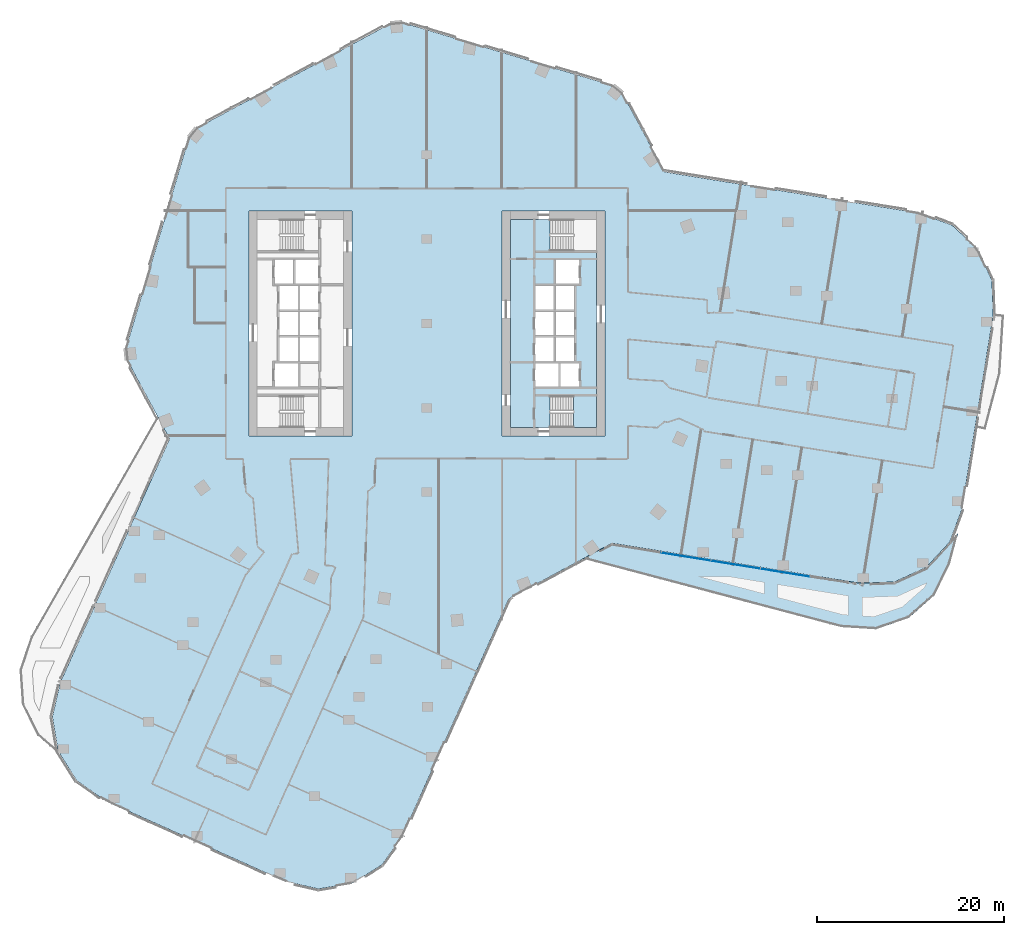
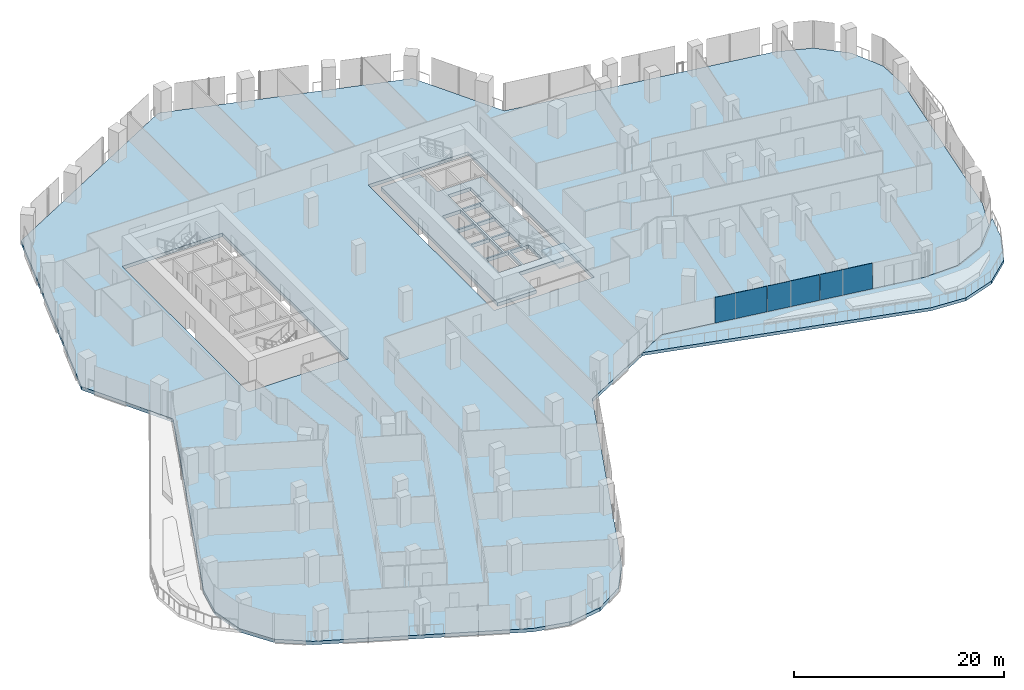
# One storey, part 19 of 32: 4 slabs, 3 plates, 2 elements without a shape of their own.
"""IFC4 building model written with IfcOpenShell, lengths in metres."""

import ifcopenshell
import ifcopenshell.guid

model = None  # the IFC model being written
_history = None  # IfcOwnerHistory: only IFC2X3 demands one
_inside = {}  # id of a spatial element -> (the spatial element, [elements in it])
_under = {}  # id of a project, library or spatial element -> (it, [spatial elements below it])
_declared = {}  # id of a project -> (the project, [libraries it declares])
_typed = {}  # id of a type object -> (the type object, [elements of that type])
_made_of = {}  # id of a material, layer set ... -> (it, [elements and type objects made of it])


def new_model(schema):
    """Start an empty IFC model of exactly this schema.

    Asked for "IFC4X3", IfcOpenShell would pick the latest addendum, in which some entities
    have other attributes; the version numbers below select the first issue.
    IFC2X3 requires an IfcOwnerHistory on every rooted entity: one is made here for all.
    """
    global model, _history
    if schema == "IFC4X3":
        model = ifcopenshell.file(schema_version=(4, 3, 0, 0))
    else:
        model = ifcopenshell.file(schema=schema)
    _inside.clear()
    _under.clear()
    _declared.clear()
    _typed.clear()
    _made_of.clear()
    _history = None
    if model.schema == "IFC2X3":
        org = make("IfcOrganization", Name="unknown")
        user = make(
            "IfcPersonAndOrganization",
            ThePerson=make("IfcPerson", FamilyName="unknown"),
            TheOrganization=org,
        )
        app = make(
            "IfcApplication",
            ApplicationDeveloper=org,
            Version="unknown",
            ApplicationFullName="unknown",
            ApplicationIdentifier="unknown",
        )
        _history = make(
            "IfcOwnerHistory",
            OwningUser=user,
            OwningApplication=app,
            ChangeAction="ADDED",
            CreationDate=0,
        )
    return model


def make(cls, **values):
    """One entity of the class cls with the attributes given. An attribute that is None is left unset."""
    return model.create_entity(
        cls, **{name: value for name, value in values.items() if value is not None}
    )


def rooted(cls, **values):
    """An entity with a GlobalId (a new one), such as an element, a storey or a relation."""
    return make(cls, GlobalId=ifcopenshell.guid.new(), OwnerHistory=_history, **values)


def si_unit(unit_type, name, prefix=None):
    """IfcSIUnit, for example si_unit("LENGTHUNIT", "METRE", prefix="MILLI")."""
    return make("IfcSIUnit", UnitType=unit_type, Prefix=prefix, Name=name)


def assignment(units):
    """IfcUnitAssignment: the units of a project."""
    return None if units is None else make("IfcUnitAssignment", Units=units)


def point(xyz):
    """IfcCartesianPoint."""
    return None if xyz is None else make("IfcCartesianPoint", Coordinates=xyz)


def direction(xyz):
    """IfcDirection."""
    return None if xyz is None else make("IfcDirection", DirectionRatios=xyz)


def frame(location, z_axis=None, x_axis=None):
    """IfcAxis2Placement3D, a coordinate frame: its origin and axes. An axis left out is left unset."""
    return make(
        "IfcAxis2Placement3D",
        Location=point(location),
        Axis=direction(z_axis),
        RefDirection=direction(x_axis),
    )


def frame_2d(location, x_axis=None):
    """IfcAxis2Placement2D, a coordinate frame in the plane: its origin and x axis."""
    return make(
        "IfcAxis2Placement2D", Location=point(location), RefDirection=direction(x_axis)
    )


def origin():
    """The frame at (0, 0, 0) with its axes left unset."""
    return frame((0.0, 0.0, 0.0))


def origin_2d():
    """The frame at (0, 0) in the plane with its x axis left unset."""
    return frame_2d((0.0, 0.0))


def place(relative_to, where):
    """IfcLocalPlacement: puts the frame where relative to a parent placement (None: the world)."""
    return make(
        "IfcLocalPlacement", PlacementRelTo=relative_to, RelativePlacement=where
    )


def context(
    kind, dimensions, precision=None, world=None, true_north=None, identifier=None
):
    """IfcGeometricRepresentationContext, for example the 3D "Model" context."""
    return make(
        "IfcGeometricRepresentationContext",
        ContextIdentifier=identifier,
        ContextType=kind,
        CoordinateSpaceDimension=dimensions,
        Precision=precision,
        WorldCoordinateSystem=world,
        TrueNorth=true_north,
    )


def subcontext(parent, identifier, kind, view, scale=None):
    """IfcGeometricRepresentationSubContext, for example "Body" below "Model"."""
    return make(
        "IfcGeometricRepresentationSubContext",
        ContextIdentifier=identifier,
        ContextType=kind,
        ParentContext=parent,
        TargetScale=scale,
        TargetView=view,
    )


def project(units=None, contexts=None):
    """IfcProject with its units and contexts."""
    return rooted(
        "IfcProject",
        Name="project",
        RepresentationContexts=contexts,
        UnitsInContext=assignment(units),
    )


def spatial(cls, under=None, at=None, **own):
    """A site, building, storey or space (cls), placed at a placement, below another one or the project."""
    s = rooted(cls, ObjectPlacement=at, **own)
    if under is not None:
        _under.setdefault(under.id(), (under, []))[1].append(s)
    return s


def polyline(points):
    """IfcPolyline through the points."""
    return make("IfcPolyline", Points=[point(p) for p in points])


def profile(cls, at=None, kind="AREA", **sizes):
    """A parametric profile (cls). Its sizes go by their IFC names, for example OverallWidth=200.0."""
    return make(cls, ProfileType=kind, Position=at, **sizes)


def rectangle(**sizes):
    """IfcRectangleProfileDef."""
    return profile("IfcRectangleProfileDef", **sizes)


def outline(outer, holes=None, kind="AREA"):
    """IfcArbitraryClosedProfileDef: a profile drawn as a closed curve; with holes, ...WithVoids."""
    if holes is None:
        return make("IfcArbitraryClosedProfileDef", ProfileType=kind, OuterCurve=outer)
    return make(
        "IfcArbitraryProfileDefWithVoids",
        ProfileType=kind,
        OuterCurve=outer,
        InnerCurves=holes,
    )


def extrude(swept, where, along, depth):
    """IfcExtrudedAreaSolid: the profile swept, set in the frame where, extruded along a direction by depth."""
    return make(
        "IfcExtrudedAreaSolid",
        SweptArea=swept,
        Position=where,
        ExtrudedDirection=direction(along),
        Depth=depth,
    )


def shape(context_of_items, identifier, shape_type, items):
    """IfcShapeRepresentation: the items that make up one representation, for example the "Body"."""
    return make(
        "IfcShapeRepresentation",
        ContextOfItems=context_of_items,
        RepresentationIdentifier=identifier,
        RepresentationType=shape_type,
        Items=items,
    )


def material(Name=None, Category=None):
    """IfcMaterial."""
    return make("IfcMaterial", Name=Name, Category=Category)


def layer(
    of_material, thickness, ventilated=None, Name=None, Category=None, Priority=None
):
    """IfcMaterialLayer: one layer of a wall or slab, of a material (None: an air gap)."""
    return make(
        "IfcMaterialLayer",
        Material=of_material,
        LayerThickness=thickness,
        IsVentilated=ventilated,
        Name=Name,
        Category=Category,
        Priority=Priority,
    )


def layer_set(layers, Name=None):
    """IfcMaterialLayerSet."""
    return make("IfcMaterialLayerSet", MaterialLayers=layers, LayerSetName=Name)


def made_of(thing, what):
    """Note that an element or type object is made of a material, layer set ...; save() writes the relation."""
    if what is not None:
        _made_of.setdefault(what.id(), (what, []))[1].append(thing)
    return thing


def type_object(cls, material=None, **own):
    """A type object (cls), such as IfcWallType, which elements share."""
    return made_of(rooted(cls, **own), material)


def element(
    cls,
    number,
    at=None,
    inside=None,
    cuts=None,
    type_object=None,
    material=None,
    context=None,
    identifier="Body",
    shape_type=None,
    held_by="IfcProductDefinitionShape",
    body=None,
    shapes=None,
    **own,
):
    """One element of the class cls, such as IfcWall. Its Tag is "e" and its number.

    at: its placement. inside: the storey or other place that contains it. cuts: it is an
    opening in that element (IfcRelVoidsElement). A single representation is given by context,
    identifier, shape_type and body (its items); several are given by shapes. held_by: the class
    of the entity that holds the representations. save() writes the other relations.
    """
    e = rooted(cls, Tag="e%d" % number, ObjectPlacement=at, **own)
    if body is not None:
        shapes = [shape(context, identifier, shape_type, body)]
    if shapes is not None:
        e.Representation = make(held_by, Representations=shapes)
    if inside is not None:
        _inside.setdefault(inside.id(), (inside, []))[1].append(e)
    if cuts is not None:
        rooted(
            "IfcRelVoidsElement", RelatingBuildingElement=cuts, RelatedOpeningElement=e
        )
    if type_object is not None:
        _typed.setdefault(type_object.id(), (type_object, []))[1].append(e)
    return made_of(e, material)


def aggregate(whole, parts):
    """IfcRelAggregates: a whole, such as a stair, and the parts it consists of."""
    return rooted("IfcRelAggregates", RelatingObject=whole, RelatedObjects=parts)


def save(model, path):
    """Write the relations noted so far, then the file.

    IfcRelAggregates (storeys below a building ...), IfcRelContainedInSpatialStructure (elements
    in a storey), IfcRelDefinesByType, IfcRelAssociatesMaterial and IfcRelDeclares: one each for
    every whole, place, type object, material and project.
    """
    for whole, parts in _under.values():
        aggregate(whole, parts)
    for where, things in _inside.values():
        rooted(
            "IfcRelContainedInSpatialStructure",
            RelatedElements=things,
            RelatingStructure=where,
        )
    for kind, things in _typed.values():
        rooted("IfcRelDefinesByType", RelatedObjects=things, RelatingType=kind)
    for what, things in _made_of.values():
        rooted("IfcRelAssociatesMaterial", RelatedObjects=things, RelatingMaterial=what)
    for by, libraries in _declared.values():
        rooted("IfcRelDeclares", RelatingContext=by, RelatedDefinitions=libraries)
    model.write(path)


model = new_model("IFC4")

# Units and contexts
model_context = context("Model", 3, precision=1e-05, world=origin(), true_north=direction((0.0, 1.0)))
body_context = subcontext(model_context, "Body", "Model", "MODEL_VIEW")
ifc_project = project(units=[si_unit("LENGTHUNIT", "METRE"), si_unit("AREAUNIT", "SQUARE_METRE"), si_unit("VOLUMEUNIT", "CUBIC_METRE"), si_unit("PLANEANGLEUNIT", "RADIAN"), si_unit("MASSUNIT", "GRAM", prefix="KILO")], contexts=[model_context])

# Site, building, storey
site_placement = place(None, origin())
site = spatial("IfcSite", under=ifc_project, at=site_placement, CompositionType="ELEMENT")
building_placement = place(site_placement, origin())
building = spatial("IfcBuilding", under=site, at=building_placement, Name="Orlundy Tower", CompositionType="ELEMENT")
storey_placement = place(building_placement, frame((0.0, 0.0, 123.699951171875)))
storey = spatial("IfcBuildingStorey", under=building, at=storey_placement, Name="L31", CompositionType="ELEMENT", Elevation=123.699951171875)

# Curtain wall, plates
ifc_material_1 = material(Name="Aluminium bronze anodised", Category="aluminium")
curtain_wall_type = type_object("IfcCurtainWallType", Name="CW1 wall", PredefinedType="NOTDEFINED", material=ifc_material_1)
curtain_wall_placement = place(storey_placement, origin())
curtain_wall = element("IfcCurtainWall", 1, at=curtain_wall_placement, inside=storey, type_object=curtain_wall_type, Name="CW1 run 016", PredefinedType="NOTDEFINED")
ifc_material_2 = material(Name="Tinted glass", Category="glass")
ifc_layer_1 = layer(ifc_material_2, 0.031982421875)
ifc_layer_set_1 = layer_set([ifc_layer_1], Name="CW1 glass panel 32")
plate_type = type_object("IfcPlateType", Name="CW1 glass panel 32", PredefinedType="CURTAIN_PANEL", material=ifc_layer_set_1)
plate_1_placement = place(storey_placement, frame((38.21630859375, -26.591796875, 0.1201171875), z_axis=(0.0, 0.0, 1.0), x_axis=(-0.987228432558, 0.159311085453, 0.0)))
plate_1 = element("IfcPlate", 2, at=plate_1_placement, type_object=plate_type, Name="CW1 panel", PredefinedType="CURTAIN_PANEL", context=body_context, shape_type="SweptSolid", body=[
    extrude(rectangle(XDim=5.306884765625, YDim=0.031982421875, at=origin_2d()), origin(), (0.0, 0.0, 1.0), 2.97998046875),
])
plate_2_placement = place(storey_placement, frame((32.927978515625, -25.738525390625, 0.1201171875), z_axis=(0.0, 0.0, 1.0), x_axis=(-0.987228432558, 0.159311085453, 0.0)))
plate_2 = element("IfcPlate", 3, at=plate_2_placement, type_object=plate_type, Name="CW1 panel", PredefinedType="CURTAIN_PANEL", context=body_context, shape_type="SweptSolid", body=[
    extrude(rectangle(XDim=5.306884765625, YDim=0.031982421875, at=origin_2d()), origin(), (0.0, 0.0, 1.0), 2.97998046875),
])
plate_3_placement = place(storey_placement, frame((27.639404296875, -24.885009765625, 0.1201171875), z_axis=(0.0, 0.0, 1.0), x_axis=(-0.987228432558, 0.159311085453, 0.0)))
plate_3 = element("IfcPlate", 4, at=plate_3_placement, type_object=plate_type, Name="CW1 panel", PredefinedType="CURTAIN_PANEL", context=body_context, shape_type="SweptSolid", body=[
    extrude(rectangle(XDim=5.306884765625, YDim=0.031982421875, at=origin_2d()), origin(), (0.0, 0.0, 1.0), 2.97998046875),
])
aggregate(curtain_wall, [plate_1, plate_2, plate_3])

# Slab
ifc_material_3 = material(Name="Concrete C50/60", Category="concrete")
ifc_layer_2 = layer(ifc_material_3, 0.409912109375)
ifc_layer_set_2 = layer_set([ifc_layer_2], Name="Core Floor Slab 410")
slab_type_1 = type_object("IfcSlabType", Name="Core Floor Slab 410", PredefinedType="FLOOR", material=ifc_layer_set_2)
slab_1_placement = place(storey_placement, frame((0.0, 0.0, -0.409912109375)))
element("IfcSlab", 5, at=slab_1_placement, inside=storey, type_object=slab_type_1, Name="Core floor E24", PredefinedType="FLOOR", context=body_context, shape_type="SweptSolid", body=[
    extrude(outline(polyline([(13.14501953125, -7.75), (13.14501953125, -11.10009765625), (8.89990234375, -11.10009765625), (8.89990234375, 11.10009765625), (13.14501953125, 11.10009765625), (13.14501953125, 7.75), (18.10009765625, 7.75), (18.10009765625, -7.75), (13.14501953125, -7.75)]), holes=[polyline([(16.239990234375, 6.77490234375), (13.739990234375, 6.77490234375), (13.739990234375, 4.22509765625), (16.239990234375, 4.22509765625), (16.239990234375, 6.77490234375)]), polyline([(13.5400390625, 1.47509765625), (13.5400390625, 4.02490234375), (11.5400390625, 4.02490234375), (11.5400390625, 1.47509765625), (13.5400390625, 1.47509765625)]), polyline([(13.739990234375, 1.47509765625), (15.739990234375, 1.47509765625), (15.739990234375, 4.02490234375), (13.739990234375, 4.02490234375), (13.739990234375, 1.47509765625)]), polyline([(11.5400390625, 1.27490234375), (11.5400390625, -1.27490234375), (13.5400390625, -1.27490234375), (13.5400390625, 1.27490234375), (11.5400390625, 1.27490234375)]), polyline([(15.739990234375, 1.27490234375), (13.739990234375, 1.27490234375), (13.739990234375, -1.27490234375), (15.739990234375, -1.27490234375), (15.739990234375, 1.27490234375)]), polyline([(13.5400390625, -4.02490234375), (13.5400390625, -1.47509765625), (11.5400390625, -1.47509765625), (11.5400390625, -4.02490234375), (13.5400390625, -4.02490234375)]), polyline([(13.739990234375, -4.02490234375), (15.739990234375, -4.02490234375), (15.739990234375, -1.47509765625), (13.739990234375, -1.47509765625), (13.739990234375, -4.02490234375)]), polyline([(11.5400390625, -4.22509765625), (11.5400390625, -6.77490234375), (14.0400390625, -6.77490234375), (14.0400390625, -4.22509765625), (11.5400390625, -4.22509765625)]), polyline([(16.239990234375, -4.22509765625), (14.239990234375, -4.22509765625), (14.239990234375, -6.77490234375), (16.239990234375, -6.77490234375), (16.239990234375, -4.22509765625)])]), origin(), (0.0, 0.0, 1.0), 0.409912109375),
])

# Stair, slab
ifc_material_4 = material(Name="Concrete C50/60", Category="concrete")
stair_type = type_object("IfcStairType", Name="Exit Stair 20 risers", PredefinedType="HALF_TURN_STAIR", material=ifc_material_4)
stair_placement = place(storey_placement, origin())
stair = element("IfcStair", 6, at=stair_placement, inside=storey, type_object=stair_type, Name="L31 Exit Stair ST-E1", PredefinedType="HALF_TURN_STAIR")
ifc_material_5 = material(Name="Concrete C50/60", Category="concrete")
ifc_layer_3 = layer(ifc_material_5, 0.199951171875)
ifc_layer_set_3 = layer_set([ifc_layer_3], Name="Exit Stair Landing")
slab_type_2 = type_object("IfcSlabType", Name="Exit Stair Landing", PredefinedType="LANDING", material=ifc_layer_set_3)
slab_2_placement = place(storey_placement, frame((0.0, 0.0, 1.550048828125)))
slab_2 = element("IfcSlab", 7, at=slab_2_placement, type_object=slab_type_2, Name="ST-E1 landing 1", PredefinedType="LANDING", context=body_context, shape_type="SweptSolid", body=[
    extrude(outline(polyline([(15.659912109375, -11.10009765625), (18.10009765625, -11.10009765625), (18.10009765625, -7.75), (15.659912109375, -7.75), (15.659912109375, -11.10009765625)])), origin(), (0.0, 0.0, 1.0), 0.199951171875),
])
aggregate(stair, [slab_2])

# Slabs
ifc_material_6 = material(Name="Concrete C45/55", Category="concrete")
ifc_layer_4 = layer(ifc_material_6, 0.39990234375)
ifc_layer_set_4 = layer_set([ifc_layer_4], Name="FLOOR SLAB THICK 400 C45/55")
slab_type_3 = type_object("IfcSlabType", Name="FLOOR SLAB THICK 400 C45/55", PredefinedType="FLOOR", material=ifc_layer_set_4)
slab_3_placement = place(storey_placement, frame((0.0, 0.0, -0.39990234375)))
element("IfcSlab", 8, at=slab_3_placement, inside=storey, type_object=slab_type_3, Name="Floor slab L31", PredefinedType="FLOOR", context=body_context, shape_type="SweptSolid", body=[
    extrude(outline(polyline([(-27.445068359375, -12.31103515625), (-32.303955078125, -3.300048828125), (-25.176025390625, 20.508056640625), (-3.300048828125, 32.303955078125), (20.508056640625, 25.176025390625), (25.366943359375, 16.1650390625), (52.548095703125, 11.779052734375), (56.02099609375, 10.486083984375), (58.736083984375, 7.9619140625), (60.278076171875, 4.591064453125), (60.4130859375, 0.886962890625), (57.06689453125, -19.844970703125), (55.77392578125, -23.319091796875), (53.25, -26.032958984375), (49.8798828125, -27.574951171875), (46.175048828125, -27.7099609375), (19.73291015625, -23.443115234375), (8.742919921875, -29.368896484375), (-2.632080078125, -54.718017578125), (-4.780029296875, -57.739013671875), (-7.9208984375, -59.7080078125), (-11.575927734375, -60.324951171875), (-15.18798828125, -59.49609375), (-34.347900390625, -50.89892578125), (-37.368896484375, -48.7509765625), (-39.337890625, -45.610107421875), (-39.955078125, -41.955078125), (-39.1259765625, -38.342041015625), (-27.445068359375, -12.31103515625)]), holes=[polyline([(-8.0, -12.0), (-8.0, 12.0), (-19.0, 12.0), (-19.0, -12.0), (-8.0, -12.0)]), polyline([(19.0, -12.0), (19.0, 12.0), (8.0, 12.0), (8.0, -12.0), (19.0, -12.0)])]), origin(), (0.0, 0.0, 1.0), 0.39990234375),
])
ifc_material_7 = material(Name="Concrete C45/55", Category="concrete")
ifc_layer_5 = layer(ifc_material_7, 0.35009765625)
ifc_layer_set_5 = layer_set([ifc_layer_5], Name="TERRACE SLAB 350 C45/55")
slab_type_4 = type_object("IfcSlabType", Name="TERRACE SLAB 350 C45/55", PredefinedType="ROOF", material=ifc_layer_set_5)
slab_4_placement = place(storey_placement, frame((0.0, 0.0, -0.349853515625)))
element("IfcSlab", 9, at=slab_4_placement, inside=storey, type_object=slab_type_4, Name="Terrace slab L31-2", PredefinedType="ROOF", context=body_context, shape_type="SweptSolid", body=[
    extrude(outline(polyline([(16.656982421875, -25.10205078125), (19.73291015625, -23.443115234375), (46.175048828125, -27.7099609375), (49.8798828125, -27.574951171875), (53.25, -26.032958984375), (56.669921875, -22.35595703125), (55.7958984375, -25.639892578125), (54.166015625, -28.968017578125), (51.385986328125, -31.419921875), (47.8798828125, -32.6220703125), (44.179931640625, -32.389892578125), (16.656982421875, -25.10205078125)])), origin(), (0.0, 0.0, 1.0), 0.349853515625),
])

save(model, "model.ifc")
